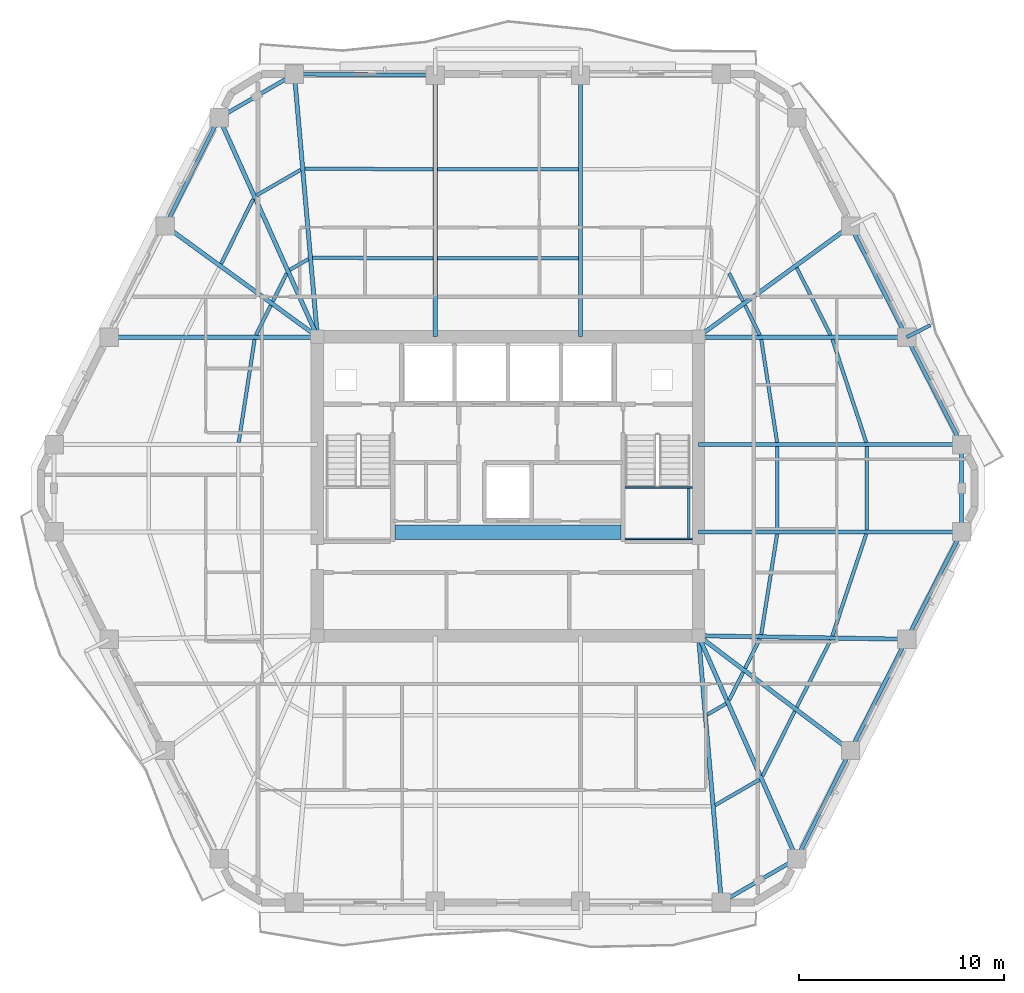
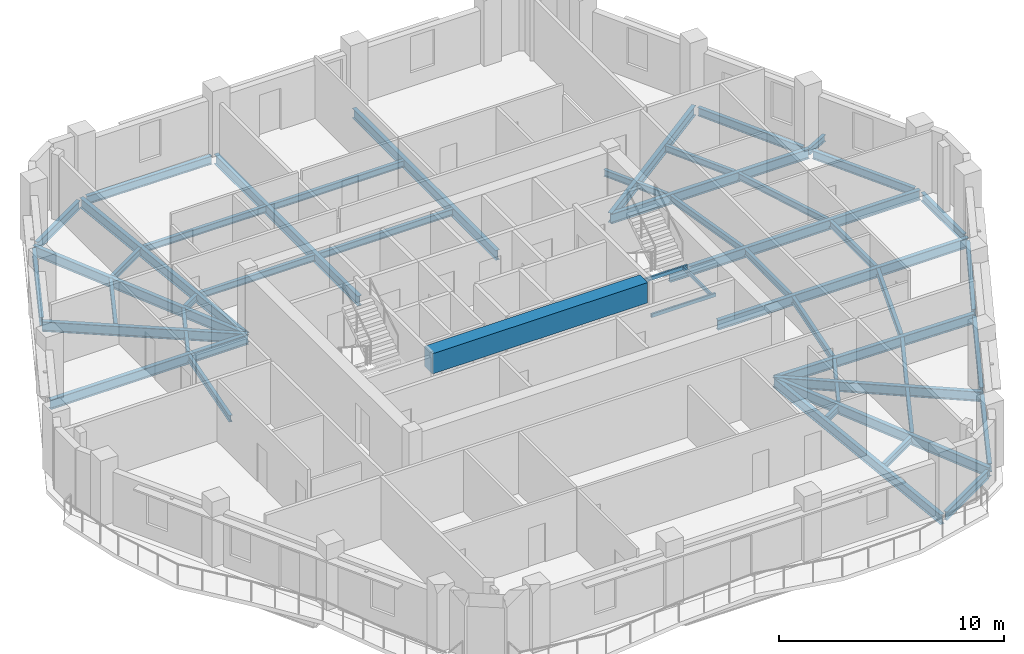
# One storey, part 2 of 11: 54 beams.
"""IFC4 building model written with IfcOpenShell, lengths in metres."""

from ifc_helpers import new_model, si_unit, direction, frame, origin, origin_2d, place, context, subcontext, project, spatial, rectangle, hollow_rectangle, i_section, extrude, material, material_profile, profile_set, type_object, element, save


model = new_model("IFC4")

# Units and contexts
model_context = context("Model", 3, precision=1e-05, world=origin(), true_north=direction((0.0, 1.0)))
body_context = subcontext(model_context, "Body", "Model", "MODEL_VIEW")
ifc_project = project(units=[si_unit("LENGTHUNIT", "METRE"), si_unit("AREAUNIT", "SQUARE_METRE"), si_unit("VOLUMEUNIT", "CUBIC_METRE"), si_unit("PLANEANGLEUNIT", "RADIAN"), si_unit("MASSUNIT", "GRAM", prefix="KILO")], contexts=[model_context])

# Site, building, storey
site_placement = place(None, origin())
site = spatial("IfcSite", under=ifc_project, at=site_placement, CompositionType="ELEMENT")
building_placement = place(site_placement, origin())
building = spatial("IfcBuilding", under=site, at=building_placement, Name="Cinnabar Lancet Tower", CompositionType="ELEMENT")
storey_placement = place(building_placement, frame((0.0, 0.0, 196.75)))
storey = spatial("IfcBuildingStorey", under=building, at=storey_placement, Name="L52", CompositionType="ELEMENT", Elevation=196.75)

# Beams
ifc_material_1 = material(Name="Concrete C70/85", Category="concrete")
ifc_material_profile_1 = material_profile(ifc_material_1, rectangle(XDim=0.699951171875, YDim=1.10009765625, at=origin_2d()), Name="RC-CB 700x1100")
ifc_profile_set_1 = profile_set([ifc_material_profile_1], Name="Concrete C70/85")
beam_type_1 = type_object("IfcBeamType", Name="STR-BM-CB-1100", PredefinedType="BEAM", material=ifc_profile_set_1)
beam_1_placement = place(storey_placement, frame((26.8798828125, 23.64990234375, 2.800048828125), z_axis=(1.0, 0.0, 0.0), x_axis=(0.0, 1.0, 0.0)))
element("IfcBeam", 1, at=beam_1_placement, inside=storey, type_object=beam_type_1, Name="L52 Core Coupling Beam", PredefinedType="BEAM", context=body_context, shape_type="SweptSolid", body=[
    extrude(rectangle(XDim=0.699951171875, YDim=1.10009765625, at=origin_2d()), origin(), (0.0, 0.0, 1.0), 11.0400390625),
])
ifc_material_2 = material(Name="Structural steel S355", Category="steel")
ifc_material_profile_2 = material_profile(ifc_material_2, i_section(OverallWidth=0.17138671875, OverallDepth=0.35498046875, WebThickness=0.00732421875, FlangeThickness=0.011474609375, FilletRadius=0.01025390625, at=origin_2d()), Name="UKB 356x171x51")
ifc_profile_set_2 = profile_set([ifc_material_profile_2], Name="Structural steel S355")
beam_type_2 = type_object("IfcBeamType", Name="STR-BM-JST-356", PredefinedType="JOIST", material=ifc_profile_set_2)
beam_2_placement = place(storey_placement, frame((42.51708984375, 10.3310546875, -0.376953125), z_axis=(0.865267839663, 0.501309849937, 0.0), x_axis=(-0.501309849937, 0.865267839663, 0.0)))
element("IfcBeam", 2, at=beam_2_placement, inside=storey, type_object=beam_type_2, Name="L52 Secondary Floor Joist 15", PredefinedType="JOIST", context=body_context, shape_type="SweptSolid", body=[
    extrude(i_section(OverallWidth=0.17138671875, OverallDepth=0.35498046875, WebThickness=0.00732421875, FlangeThickness=0.011474609375, FilletRadius=0.01025390625, at=origin_2d()), origin(), (0.0, 0.0, 1.0), 2.497314453125),
])
beam_3_placement = place(storey_placement, frame((42.135986328125, 14.7548828125, -0.376953125), z_axis=(0.8651881055, 0.501447446998, 0.0), x_axis=(-0.501447446998, 0.8651881055, 0.0)))
element("IfcBeam", 3, at=beam_3_placement, inside=storey, type_object=beam_type_2, Name="L52 Secondary Floor Joist 16", PredefinedType="JOIST", context=body_context, shape_type="SweptSolid", body=[
    extrude(i_section(OverallWidth=0.17138671875, OverallDepth=0.35498046875, WebThickness=0.00732421875, FlangeThickness=0.011474609375, FilletRadius=0.01025390625, at=origin_2d()), origin(), (0.0, 0.0, 1.0), 1.05322265625),
])
beam_4_placement = place(storey_placement, frame((44.8291015625, 11.758056640625, -0.376953125), z_axis=(0.445027906173, 0.895516701534, 0.0), x_axis=(-0.895516701534, 0.445027906173, 0.0)))
element("IfcBeam", 4, at=beam_4_placement, inside=storey, type_object=beam_type_2, Name="L52 Secondary Floor Joist 17", PredefinedType="JOIST", context=body_context, shape_type="SweptSolid", body=[
    extrude(i_section(OverallWidth=0.17138671875, OverallDepth=0.35498046875, WebThickness=0.00732421875, FlangeThickness=0.011474609375, FilletRadius=0.01025390625, at=origin_2d()), origin(), (0.0, 0.0, 1.0), 3.531982421875),
])
beam_5_placement = place(storey_placement, frame((43.198974609375, 15.45703125, -0.376953125), z_axis=(0.444589856968, 0.895734256954, 0.0), x_axis=(-0.895734256954, 0.444589856968, 0.0)))
element("IfcBeam", 5, at=beam_5_placement, inside=storey, type_object=beam_type_2, Name="L52 Secondary Floor Joist 18", PredefinedType="JOIST", context=body_context, shape_type="SweptSolid", body=[
    extrude(i_section(OverallWidth=0.17138671875, OverallDepth=0.35498046875, WebThickness=0.00732421875, FlangeThickness=0.011474609375, FilletRadius=0.01025390625, at=origin_2d()), origin(), (0.0, 0.0, 1.0), 1.527099609375),
])
beam_6_placement = place(storey_placement, frame((46.49609375, 15.112060546875, -0.376953125), z_axis=(0.450564728728, 0.892743762357, 0.0), x_axis=(-0.892743762357, 0.450564728728, 0.0)))
element("IfcBeam", 6, at=beam_6_placement, inside=storey, type_object=beam_type_2, Name="L52 Secondary Floor Joist 19", PredefinedType="JOIST", context=body_context, shape_type="SweptSolid", body=[
    extrude(i_section(OverallWidth=0.17138671875, OverallDepth=0.35498046875, WebThickness=0.00732421875, FlangeThickness=0.011474609375, FilletRadius=0.01025390625, at=origin_2d()), origin(), (0.0, 0.0, 1.0), 3.66845703125),
])
beam_7_placement = place(storey_placement, frame((43.97412109375, 17.014892578125, -0.376953125), z_axis=(0.450137936259, 0.892959035085, 0.0), x_axis=(-0.892959035085, 0.450137936259, 0.0)))
element("IfcBeam", 7, at=beam_7_placement, inside=storey, type_object=beam_type_2, Name="L52 Secondary Floor Joist 20", PredefinedType="JOIST", context=body_context, shape_type="SweptSolid", body=[
    extrude(i_section(OverallWidth=0.17138671875, OverallDepth=0.35498046875, WebThickness=0.00732421875, FlangeThickness=0.011474609375, FilletRadius=0.01025390625, at=origin_2d()), origin(), (0.0, 0.0, 1.0), 1.6015625),
])
beam_8_placement = place(storey_placement, frame((48.236083984375, 18.594970703125, -0.376953125), z_axis=(0.315346227037, 0.948976689436, 0.0), x_axis=(-0.948976689436, 0.315346227037, 0.0)))
element("IfcBeam", 8, at=beam_8_placement, inside=storey, type_object=beam_type_2, Name="L52 Secondary Floor Joist 21", PredefinedType="JOIST", context=body_context, shape_type="SweptSolid", body=[
    extrude(i_section(OverallWidth=0.17138671875, OverallDepth=0.35498046875, WebThickness=0.00732421875, FlangeThickness=0.011474609375, FilletRadius=0.01025390625, at=origin_2d()), origin(), (0.0, 0.0, 1.0), 5.235107421875),
])
beam_9_placement = place(storey_placement, frame((44.763916015625, 18.653076171875, -0.376953125), z_axis=(0.155750702097, 0.987796395416, 0.0), x_axis=(-0.987796395416, 0.155750702097, 0.0)))
element("IfcBeam", 9, at=beam_9_placement, inside=storey, type_object=beam_type_2, Name="L52 Secondary Floor Joist 22", PredefinedType="JOIST", context=body_context, shape_type="SweptSolid", body=[
    extrude(i_section(OverallWidth=0.17138671875, OverallDepth=0.35498046875, WebThickness=0.00732421875, FlangeThickness=0.011474609375, FilletRadius=0.01025390625, at=origin_2d()), origin(), (0.0, 0.0, 1.0), 4.970458984375),
])
for number, where, z_axis, x_axis, name in (
    (10, (49.922119140625, 23.77294921875, -0.376953125), (0.0, 1.0, 0.0), (-1.0, 0.0, 0.0), "L52 Secondary Floor Joist 23"),
    (11, (45.553955078125, 23.77294921875, -0.376953125), (0.0, 1.0, 0.0), (-1.0, 0.0, 0.0), "L52 Secondary Floor Joist 24"),
):
    element("IfcBeam", number, at=place(storey_placement, frame(where, z_axis=z_axis, x_axis=x_axis)), inside=storey, type_object=beam_type_2, Name=name, PredefinedType="JOIST", context=body_context, shape_type="SweptSolid", body=[
        extrude(i_section(OverallWidth=0.17138671875, OverallDepth=0.35498046875, WebThickness=0.00732421875, FlangeThickness=0.011474609375, FilletRadius=0.01025390625, at=origin_2d()), origin(), (0.0, 0.0, 1.0), 4.053955078125),
    ])
beam_10_placement = place(storey_placement, frame((49.887939453125, 28.037109375, -0.376953125), z_axis=(-0.312240109925, 0.95000321776, 0.0), x_axis=(-0.95000321776, -0.312240109925, 0.0)))
element("IfcBeam", 12, at=beam_10_placement, inside=storey, type_object=beam_type_2, Name="L52 Secondary Floor Joist 25", PredefinedType="JOIST", context=body_context, shape_type="SweptSolid", body=[
    extrude(i_section(OverallWidth=0.17138671875, OverallDepth=0.35498046875, WebThickness=0.00732421875, FlangeThickness=0.011474609375, FilletRadius=0.01025390625, at=origin_2d()), origin(), (0.0, 0.0, 1.0), 5.29345703125),
])
beam_11_placement = place(storey_placement, frame((45.5380859375, 28.037109375, -0.376953125), z_axis=(-0.152154536592, 0.98835671546, 0.0), x_axis=(-0.98835671546, -0.152154536592, 0.0)))
element("IfcBeam", 13, at=beam_11_placement, inside=storey, type_object=beam_type_2, Name="L52 Secondary Floor Joist 26", PredefinedType="JOIST", context=body_context, shape_type="SweptSolid", body=[
    extrude(i_section(OverallWidth=0.17138671875, OverallDepth=0.35498046875, WebThickness=0.00732421875, FlangeThickness=0.011474609375, FilletRadius=0.01025390625, at=origin_2d()), origin(), (0.0, 0.0, 1.0), 5.088134765625),
])
beam_12_placement = place(storey_placement, frame((48.14794921875, 33.27587890625, -0.376953125), z_axis=(-0.449230875134, 0.893415704376, 0.0), x_axis=(-0.893415704376, -0.449230875134, 0.0)))
element("IfcBeam", 14, at=beam_12_placement, inside=storey, type_object=beam_type_2, Name="L52 Secondary Floor Joist 27", PredefinedType="JOIST", context=body_context, shape_type="SweptSolid", body=[
    extrude(i_section(OverallWidth=0.17138671875, OverallDepth=0.35498046875, WebThickness=0.00732421875, FlangeThickness=0.011474609375, FilletRadius=0.01025390625, at=origin_2d()), origin(), (0.0, 0.0, 1.0), 3.677001953125),
])
beam_13_placement = place(storey_placement, frame((44.695068359375, 33.27587890625, -0.376953125), z_axis=(-0.446006949597, 0.89502949723, 0.0), x_axis=(-0.89502949723, -0.446006949597, 0.0)))
element("IfcBeam", 15, at=beam_13_placement, inside=storey, type_object=beam_type_2, Name="L52 Secondary Floor Joist 28", PredefinedType="JOIST", context=body_context, shape_type="SweptSolid", body=[
    extrude(i_section(OverallWidth=0.17138671875, OverallDepth=0.35498046875, WebThickness=0.00732421875, FlangeThickness=0.011474609375, FilletRadius=0.01025390625, at=origin_2d()), origin(), (0.0, 0.0, 1.0), 1.619140625),
])
beam_14_placement = place(storey_placement, frame((43.8779296875, 34.9150390625, -0.376953125), z_axis=(-0.444589856968, 0.895734256954, 0.0), x_axis=(-0.895734256954, -0.444589856968, 0.0)))
element("IfcBeam", 16, at=beam_14_placement, inside=storey, type_object=beam_type_2, Name="L52 Secondary Floor Joist 30", PredefinedType="JOIST", context=body_context, shape_type="SweptSolid", body=[
    extrude(i_section(OverallWidth=0.17138671875, OverallDepth=0.35498046875, WebThickness=0.00732421875, FlangeThickness=0.011474609375, FilletRadius=0.01025390625, at=origin_2d()), origin(), (0.0, 0.0, 1.0), 1.527099609375),
])
for number, where, z_axis, x_axis, name in (
    (17, (35.837890625, 41.364990234375, -0.376953125), (-1.0, 0.0, 0.0), (0.0, -1.0, 0.0), "L52 Secondary Floor Joist 35"),
    (18, (35.837890625, 37.027099609375, -0.376953125), (-1.0, 0.0, 0.0), (0.0, -1.0, 0.0), "L52 Secondary Floor Joist 36"),
):
    element("IfcBeam", number, at=place(storey_placement, frame(where, z_axis=z_axis, x_axis=x_axis)), inside=storey, type_object=beam_type_2, Name=name, PredefinedType="JOIST", context=body_context, shape_type="SweptSolid", body=[
        extrude(i_section(OverallWidth=0.17138671875, OverallDepth=0.35498046875, WebThickness=0.00732421875, FlangeThickness=0.011474609375, FilletRadius=0.01025390625, at=origin_2d()), origin(), (0.0, 0.0, 1.0), 6.8759765625),
    ])
beam_15_placement = place(storey_placement, frame((28.751953125, 41.365966796875, -0.376953125), z_axis=(-0.999986965561, 0.005105752523, 0.0), x_axis=(-0.005105752523, -0.999986965561, 0.0)))
element("IfcBeam", 19, at=beam_15_placement, inside=storey, type_object=beam_type_2, Name="L52 Secondary Floor Joist 37", PredefinedType="JOIST", context=body_context, shape_type="SweptSolid", body=[
    extrude(i_section(OverallWidth=0.17138671875, OverallDepth=0.35498046875, WebThickness=0.00732421875, FlangeThickness=0.011474609375, FilletRadius=0.01025390625, at=origin_2d()), origin(), (0.0, 0.0, 1.0), 6.263916015625),
])
beam_16_placement = place(storey_placement, frame((28.751953125, 37.028076171875, -0.376953125), z_axis=(-0.999996795933, 0.002531427338, 0.0), x_axis=(-0.002531427338, -0.999996795933, 0.0)))
element("IfcBeam", 20, at=beam_16_placement, inside=storey, type_object=beam_type_2, Name="L52 Secondary Floor Joist 38", PredefinedType="JOIST", context=body_context, shape_type="SweptSolid", body=[
    extrude(i_section(OverallWidth=0.17138671875, OverallDepth=0.35498046875, WebThickness=0.00732421875, FlangeThickness=0.011474609375, FilletRadius=0.01025390625, at=origin_2d()), origin(), (0.0, 0.0, 1.0), 5.883056640625),
])
beam_17_placement = place(storey_placement, frame((22.282958984375, 41.341064453125, -0.376953125), z_axis=(-0.865267839663, -0.501309849937, 0.0), x_axis=(0.501309849937, -0.865267839663, 0.0)))
element("IfcBeam", 21, at=beam_17_placement, inside=storey, type_object=beam_type_2, Name="L52 Secondary Floor Joist 39", PredefinedType="JOIST", context=body_context, shape_type="SweptSolid", body=[
    extrude(i_section(OverallWidth=0.17138671875, OverallDepth=0.35498046875, WebThickness=0.00732421875, FlangeThickness=0.011474609375, FilletRadius=0.01025390625, at=origin_2d()), origin(), (0.0, 0.0, 1.0), 2.497314453125),
])
beam_18_placement = place(storey_placement, frame((22.6640625, 36.985107421875, -0.376953125), z_axis=(-0.8651881055, -0.501447446998, 0.0), x_axis=(0.501447446998, -0.8651881055, 0.0)))
element("IfcBeam", 22, at=beam_18_placement, inside=storey, type_object=beam_type_2, Name="L52 Secondary Floor Joist 40", PredefinedType="JOIST", context=body_context, shape_type="SweptSolid", body=[
    extrude(i_section(OverallWidth=0.17138671875, OverallDepth=0.35498046875, WebThickness=0.00732421875, FlangeThickness=0.011474609375, FilletRadius=0.01025390625, at=origin_2d()), origin(), (0.0, 0.0, 1.0), 1.05322265625),
])
beam_19_placement = place(storey_placement, frame((19.970947265625, 39.9150390625, -0.376953125), z_axis=(-0.444835507887, -0.895612288283, 0.0), x_axis=(0.895612288283, -0.444835507887, 0.0)))
element("IfcBeam", 23, at=beam_19_placement, inside=storey, type_object=beam_type_2, Name="L52 Secondary Floor Joist 41", PredefinedType="JOIST", context=body_context, shape_type="SweptSolid", body=[
    extrude(i_section(OverallWidth=0.17138671875, OverallDepth=0.35498046875, WebThickness=0.00732421875, FlangeThickness=0.011474609375, FilletRadius=0.01025390625, at=origin_2d()), origin(), (0.0, 0.0, 1.0), 3.533935546875),
])
beam_20_placement = place(storey_placement, frame((21.60107421875, 36.282958984375, -0.376953125), z_axis=(-0.444589856968, -0.895734256954, 0.0), x_axis=(0.895734256954, -0.444589856968, 0.0)))
element("IfcBeam", 24, at=beam_20_placement, inside=storey, type_object=beam_type_2, Name="L52 Secondary Floor Joist 42", PredefinedType="JOIST", context=body_context, shape_type="SweptSolid", body=[
    extrude(i_section(OverallWidth=0.17138671875, OverallDepth=0.35498046875, WebThickness=0.00732421875, FlangeThickness=0.011474609375, FilletRadius=0.01025390625, at=origin_2d()), origin(), (0.0, 0.0, 1.0), 1.527099609375),
])
beam_21_placement = place(storey_placement, frame((20.826904296875, 34.72509765625, -0.376953125), z_axis=(-0.44588615098, -0.895089682861, 0.0), x_axis=(0.895089682861, -0.44588615098, 0.0)))
element("IfcBeam", 25, at=beam_21_placement, inside=storey, type_object=beam_type_2, Name="L52 Secondary Floor Joist 44", PredefinedType="JOIST", context=body_context, shape_type="SweptSolid", body=[
    extrude(i_section(OverallWidth=0.17138671875, OverallDepth=0.35498046875, WebThickness=0.00732421875, FlangeThickness=0.011474609375, FilletRadius=0.01025390625, at=origin_2d()), origin(), (0.0, 0.0, 1.0), 1.619140625),
])
beam_22_placement = place(storey_placement, frame((20.035888671875, 33.06591796875, -0.376953125), z_axis=(-0.152107663797, -0.988363930248, 0.0), x_axis=(0.988363930248, -0.152107663797, 0.0)))
element("IfcBeam", 26, at=beam_22_placement, inside=storey, type_object=beam_type_2, Name="L52 Secondary Floor Joist 46", PredefinedType="JOIST", context=body_context, shape_type="SweptSolid", body=[
    extrude(i_section(OverallWidth=0.17138671875, OverallDepth=0.35498046875, WebThickness=0.00732421875, FlangeThickness=0.011474609375, FilletRadius=0.01025390625, at=origin_2d()), origin(), (0.0, 0.0, 1.0), 5.088134765625),
])
ifc_material_3 = material(Name="Structural steel S355", Category="steel")
ifc_material_profile_3 = material_profile(ifc_material_3, hollow_rectangle(XDim=0.10009765625, YDim=0.199951171875, WallThickness=0.008056640625, InnerFilletRadius=0.00390625, OuterFilletRadius=0.011962890625, at=origin_2d()), Name="RHS 200x100x8")
ifc_profile_set_3 = profile_set([ifc_material_profile_3], Name="Structural steel S355")
beam_type_3 = type_object("IfcBeamType", Name="STR-BM-LND-203", PredefinedType="BEAM", material=ifc_profile_set_3)
for number, where, z_axis, x_axis, name in (
    (27, (38.1201171875, 23.330078125, 1.47509765625), (1.0, 0.0, 0.0), (0.0, 1.0, 0.0), "L52 ST-2-L52 Landing Support Beam S"),
    (28, (38.1201171875, 25.844970703125, 1.47509765625), (1.0, 0.0, 0.0), (0.0, 1.0, 0.0), "L52 ST-2-L52 Landing Support Beam N"),
):
    element("IfcBeam", number, at=place(storey_placement, frame(where, z_axis=z_axis, x_axis=x_axis)), inside=storey, type_object=beam_type_3, Name=name, PredefinedType="BEAM", context=body_context, shape_type="SweptSolid", body=[
        extrude(hollow_rectangle(XDim=0.10009765625, YDim=0.199951171875, WallThickness=0.008056640625, InnerFilletRadius=0.00390625, OuterFilletRadius=0.011962890625, at=origin_2d()), origin(), (0.0, 0.0, 1.0), 3.27978515625),
    ])
beam_23_placement = place(storey_placement, frame((41.219970703125, 23.3798828125, 1.47509765625), z_axis=(0.0, 1.0, 0.0), x_axis=(-1.0, 0.0, 0.0)))
element("IfcBeam", 29, at=beam_23_placement, inside=storey, type_object=beam_type_3, Name="L52 ST-2-L52 Landing Side Trimmer Beam", PredefinedType="BEAM", context=body_context, shape_type="SweptSolid", body=[
    extrude(hollow_rectangle(XDim=0.10009765625, YDim=0.199951171875, WallThickness=0.008056640625, InnerFilletRadius=0.00390625, OuterFilletRadius=0.011962890625, at=origin_2d()), origin(), (0.0, 0.0, 1.0), 2.4150390625),
])
ifc_material_4 = material(Name="Structural steel S355", Category="steel")
ifc_material_profile_4 = material_profile(ifc_material_4, i_section(OverallWidth=0.1904296875, OverallDepth=0.45703125, WebThickness=0.009033203125, FlangeThickness=0.014404296875, FilletRadius=0.01025390625, at=origin_2d()), Name="UKB 457x191x74")
ifc_profile_set_4 = profile_set([ifc_material_profile_4], Name="Structural steel S355")
beam_type_4 = type_object("IfcBeamType", Name="STR-BM-SPN-457", PredefinedType="SPANDREL", material=ifc_profile_set_4)
beam_24_placement = place(storey_placement, frame((43.037109375, 5.714111328125, -0.427978515625), z_axis=(0.865195717586, 0.501434313016, 0.0), x_axis=(-0.501434313016, 0.865195717586, 0.0)))
element("IfcBeam", 30, at=beam_24_placement, inside=storey, type_object=beam_type_4, Name="L52 Perimeter Spandrel 4", PredefinedType="SPANDREL", context=body_context, shape_type="SweptSolid", body=[
    extrude(i_section(OverallWidth=0.1904296875, OverallDepth=0.45703125, WebThickness=0.009033203125, FlangeThickness=0.014404296875, FilletRadius=0.01025390625, at=origin_2d()), origin(), (0.0, 0.0, 1.0), 3.7470703125),
])
beam_25_placement = place(storey_placement, frame((46.60595703125, 7.94189453125, -0.427978515625), z_axis=(0.444914968367, 0.895572817208, 0.0), x_axis=(-0.895572817208, 0.444914968367, 0.0)))
element("IfcBeam", 31, at=beam_25_placement, inside=storey, type_object=beam_type_4, Name="L52 Perimeter Spandrel 5", PredefinedType="SPANDREL", context=body_context, shape_type="SweptSolid", body=[
    extrude(i_section(OverallWidth=0.1904296875, OverallDepth=0.45703125, WebThickness=0.009033203125, FlangeThickness=0.014404296875, FilletRadius=0.01025390625, at=origin_2d()), origin(), (0.0, 0.0, 1.0), 5.39892578125),
])
beam_26_placement = place(storey_placement, frame((49.23193359375, 13.22412109375, -0.427978515625), z_axis=(0.450395996562, 0.892828900899, 0.0), x_axis=(-0.892828900899, 0.450395996562, 0.0)))
element("IfcBeam", 32, at=beam_26_placement, inside=storey, type_object=beam_type_4, Name="L52 Perimeter Spandrel 6", PredefinedType="SPANDREL", context=body_context, shape_type="SweptSolid", body=[
    extrude(i_section(OverallWidth=0.1904296875, OverallDepth=0.45703125, WebThickness=0.009033203125, FlangeThickness=0.014404296875, FilletRadius=0.01025390625, at=origin_2d()), origin(), (0.0, 0.0, 1.0), 5.579833984375),
])
beam_27_placement = place(storey_placement, frame((51.971923828125, 18.65087890625, -0.427978515625), z_axis=(0.456628362232, 0.889657540184, 0.0), x_axis=(-0.889657540184, 0.456628362232, 0.0)))
element("IfcBeam", 33, at=beam_27_placement, inside=storey, type_object=beam_type_4, Name="L52 Perimeter Spandrel 7", PredefinedType="SPANDREL", context=body_context, shape_type="SweptSolid", body=[
    extrude(i_section(OverallWidth=0.1904296875, OverallDepth=0.45703125, WebThickness=0.009033203125, FlangeThickness=0.014404296875, FilletRadius=0.01025390625, at=origin_2d()), origin(), (0.0, 0.0, 1.0), 5.389892578125),
])
beam_28_placement = place(storey_placement, frame((54.547119140625, 23.91796875, -0.427978515625), z_axis=(0.0, 1.0, 0.0), x_axis=(-1.0, 0.0, 0.0)))
element("IfcBeam", 34, at=beam_28_placement, inside=storey, type_object=beam_type_4, Name="L52 Perimeter Spandrel 8", PredefinedType="SPANDREL", context=body_context, shape_type="SweptSolid", body=[
    extrude(i_section(OverallWidth=0.1904296875, OverallDepth=0.45703125, WebThickness=0.009033203125, FlangeThickness=0.014404296875, FilletRadius=0.01025390625, at=origin_2d()), origin(), (0.0, 0.0, 1.0), 3.763916015625),
])
beam_29_placement = place(storey_placement, frame((54.43310546875, 28.154052734375, -0.427978515625), z_axis=(-0.456646764028, 0.889648094981, 0.0), x_axis=(-0.889648094981, -0.456646764028, 0.0)))
element("IfcBeam", 35, at=beam_29_placement, inside=storey, type_object=beam_type_4, Name="L52 Perimeter Spandrel 9", PredefinedType="SPANDREL", context=body_context, shape_type="SweptSolid", body=[
    extrude(i_section(OverallWidth=0.1904296875, OverallDepth=0.45703125, WebThickness=0.009033203125, FlangeThickness=0.014404296875, FilletRadius=0.01025390625, at=origin_2d()), origin(), (0.0, 0.0, 1.0), 5.3896484375),
])
beam_30_placement = place(storey_placement, frame((51.7451171875, 33.39404296875, -0.427978515625), z_axis=(-0.450395996562, 0.892828900899, 0.0), x_axis=(-0.892828900899, -0.450395996562, 0.0)))
element("IfcBeam", 36, at=beam_30_placement, inside=storey, type_object=beam_type_4, Name="L52 Perimeter Spandrel 10", PredefinedType="SPANDREL", context=body_context, shape_type="SweptSolid", body=[
    extrude(i_section(OverallWidth=0.1904296875, OverallDepth=0.45703125, WebThickness=0.009033203125, FlangeThickness=0.014404296875, FilletRadius=0.01025390625, at=origin_2d()), origin(), (0.0, 0.0, 1.0), 5.579833984375),
])
beam_31_placement = place(storey_placement, frame((28.60693359375, 45.9599609375, -0.427978515625), z_axis=(-0.999970401924, 0.007693846685, 0.0), x_axis=(-0.007693846685, -0.999970401924, 0.0)))
element("IfcBeam", 37, at=beam_31_placement, inside=storey, type_object=beam_type_4, Name="L52 Perimeter Spandrel 15", PredefinedType="SPANDREL", context=body_context, shape_type="SweptSolid", body=[
    extrude(i_section(OverallWidth=0.1904296875, OverallDepth=0.45703125, WebThickness=0.009033203125, FlangeThickness=0.014404296875, FilletRadius=0.01025390625, at=origin_2d()), origin(), (0.0, 0.0, 1.0), 6.378173828125),
])
beam_32_placement = place(storey_placement, frame((21.762939453125, 45.885986328125, -0.427978515625), z_axis=(-0.865195717586, -0.501434313016, 0.0), x_axis=(0.501434313016, -0.865195717586, 0.0)))
element("IfcBeam", 38, at=beam_32_placement, inside=storey, type_object=beam_type_4, Name="L52 Perimeter Spandrel 16", PredefinedType="SPANDREL", context=body_context, shape_type="SweptSolid", body=[
    extrude(i_section(OverallWidth=0.1904296875, OverallDepth=0.45703125, WebThickness=0.009033203125, FlangeThickness=0.014404296875, FilletRadius=0.01025390625, at=origin_2d()), origin(), (0.0, 0.0, 1.0), 3.7470703125),
])
beam_33_placement = place(storey_placement, frame((18.194091796875, 43.657958984375, -0.427978515625), z_axis=(-0.444932986899, -0.895563865489, 0.0), x_axis=(0.895563865489, -0.444932986899, 0.0)))
element("IfcBeam", 39, at=beam_33_placement, inside=storey, type_object=beam_type_4, Name="L52 Perimeter Spandrel 17", PredefinedType="SPANDREL", context=body_context, shape_type="SweptSolid", body=[
    extrude(i_section(OverallWidth=0.1904296875, OverallDepth=0.45703125, WebThickness=0.009033203125, FlangeThickness=0.014404296875, FilletRadius=0.01025390625, at=origin_2d()), origin(), (0.0, 0.0, 1.0), 5.398681640625),
])
ifc_material_5 = material(Name="Structural steel S355", Category="steel")
ifc_material_profile_5 = material_profile(ifc_material_5, i_section(OverallWidth=0.209228515625, OverallDepth=0.533203125, WebThickness=0.010009765625, FlangeThickness=0.015625, FilletRadius=0.0126953125, at=origin_2d()), Name="UKB 533x210x92")
ifc_profile_set_5 = profile_set([ifc_material_profile_5], Name="Structural steel S355")
beam_type_5 = type_object("IfcBeamType", Name="STR-BM-UKB533-92", PredefinedType="BEAM", material=ifc_profile_set_5)
beam_34_placement = place(storey_placement, frame((49.118896484375, 13.0009765625, -0.467041015625), z_axis=(-0.798193439732, 0.602401222417, 0.0), x_axis=(-0.602401222417, -0.798193439732, 0.0)))
element("IfcBeam", 40, at=beam_34_placement, inside=storey, type_object=beam_type_5, Name="L52 Corner Collector Girder 2", PredefinedType="BEAM", context=body_context, shape_type="SweptSolid", body=[
    extrude(i_section(OverallWidth=0.209228515625, OverallDepth=0.533203125, WebThickness=0.010009765625, FlangeThickness=0.015625, FilletRadius=0.0126953125, at=origin_2d()), origin(), (0.0, 0.0, 1.0), 9.294677734375),
])
beam_35_placement = place(storey_placement, frame((49.118896484375, 38.59912109375, -0.467041015625), z_axis=(-0.808550797984, -0.588426382039, 0.0), x_axis=(0.588426382039, -0.808550797984, 0.0)))
element("IfcBeam", 41, at=beam_35_placement, inside=storey, type_object=beam_type_5, Name="L52 Corner Collector Girder 3", PredefinedType="BEAM", context=body_context, shape_type="SweptSolid", body=[
    extrude(i_section(OverallWidth=0.209228515625, OverallDepth=0.533203125, WebThickness=0.010009765625, FlangeThickness=0.015625, FilletRadius=0.0126953125, at=origin_2d()), origin(), (0.0, 0.0, 1.0), 9.175537109375),
])
beam_36_placement = place(storey_placement, frame((15.680908203125, 38.59912109375, -0.467041015625), z_axis=(0.80856001044, -0.588413723087, 0.0), x_axis=(0.588413723087, 0.80856001044, 0.0)))
element("IfcBeam", 42, at=beam_36_placement, inside=storey, type_object=beam_type_5, Name="L52 Corner Collector Girder 4", PredefinedType="BEAM", context=body_context, shape_type="SweptSolid", body=[
    extrude(i_section(OverallWidth=0.209228515625, OverallDepth=0.533203125, WebThickness=0.010009765625, FlangeThickness=0.015625, FilletRadius=0.0126953125, at=origin_2d()), origin(), (0.0, 0.0, 1.0), 9.17578125),
])
beam_37_placement = place(storey_placement, frame((42.821044921875, 5.589111328125, -0.467041015625), z_axis=(-0.085847068729, 0.996308326167, 0.0), x_axis=(-0.996308326167, -0.085847068729, 0.0)))
element("IfcBeam", 43, at=beam_37_placement, inside=storey, type_object=beam_type_5, Name="L52 Primary Floor Girder 4", PredefinedType="BEAM", context=body_context, shape_type="SweptSolid", body=[
    extrude(i_section(OverallWidth=0.209228515625, OverallDepth=0.533203125, WebThickness=0.010009765625, FlangeThickness=0.015625, FilletRadius=0.0126953125, at=origin_2d()), origin(), (0.0, 0.0, 1.0), 13.05908203125),
])
beam_38_placement = place(storey_placement, frame((46.4951171875, 7.718017578125, -0.467041015625), z_axis=(-0.403235299754, 0.915096329919, 0.0), x_axis=(-0.915096329919, -0.403235299754, 0.0)))
element("IfcBeam", 44, at=beam_38_placement, inside=storey, type_object=beam_type_5, Name="L52 Primary Floor Girder 5", PredefinedType="BEAM", context=body_context, shape_type="SweptSolid", body=[
    extrude(i_section(OverallWidth=0.209228515625, OverallDepth=0.533203125, WebThickness=0.010009765625, FlangeThickness=0.015625, FilletRadius=0.0126953125, at=origin_2d()), origin(), (0.0, 0.0, 1.0), 11.891845703125),
])
beam_39_placement = place(storey_placement, frame((51.85791015625, 18.428955078125, -0.467041015625), z_axis=(-0.999858100525, 0.016845735777, 0.0), x_axis=(-0.016845735777, -0.999858100525, 0.0)))
element("IfcBeam", 45, at=beam_39_placement, inside=storey, type_object=beam_type_5, Name="L52 Primary Floor Girder 7", PredefinedType="BEAM", context=body_context, shape_type="SweptSolid", body=[
    extrude(i_section(OverallWidth=0.209228515625, OverallDepth=0.533203125, WebThickness=0.010009765625, FlangeThickness=0.015625, FilletRadius=0.0126953125, at=origin_2d()), origin(), (0.0, 0.0, 1.0), 10.159423828125),
])
for number, where, z_axis, x_axis, name in (
    (46, (54.547119140625, 23.66796875, -0.467041015625), (-1.0, 0.0, 0.0), (0.0, -1.0, 0.0), "L52 Primary Floor Girder 8"),
    (47, (54.547119140625, 27.931884765625, -0.467041015625), (-1.0, 0.0, 0.0), (0.0, -1.0, 0.0), "L52 Primary Floor Girder 9"),
):
    element("IfcBeam", number, at=place(storey_placement, frame(where, z_axis=z_axis, x_axis=x_axis)), inside=storey, type_object=beam_type_5, Name=name, PredefinedType="BEAM", context=body_context, shape_type="SweptSolid", body=[
        extrude(i_section(OverallWidth=0.209228515625, OverallDepth=0.533203125, WebThickness=0.010009765625, FlangeThickness=0.015625, FilletRadius=0.0126953125, at=origin_2d()), origin(), (0.0, 0.0, 1.0), 12.84716796875),
    ])
beam_40_placement = place(storey_placement, frame((51.85791015625, 33.1708984375, -0.467041015625), z_axis=(-1.0, 0.0, 0.0), x_axis=(0.0, -1.0, 0.0)))
element("IfcBeam", 48, at=beam_40_placement, inside=storey, type_object=beam_type_5, Name="L52 Primary Floor Girder 10", PredefinedType="BEAM", context=body_context, shape_type="SweptSolid", body=[
    extrude(i_section(OverallWidth=0.209228515625, OverallDepth=0.533203125, WebThickness=0.010009765625, FlangeThickness=0.015625, FilletRadius=0.0126953125, at=origin_2d()), origin(), (0.0, 0.0, 1.0), 10.157958984375),
])
for number, where, z_axis, x_axis, name in (
    (49, (35.943115234375, 45.9580078125, -0.467041015625), (0.0, -1.0, 0.0), (1.0, 0.0, 0.0), "L52 Primary Floor Girder 14"),
    (50, (28.85693359375, 45.9580078125, -0.467041015625), (0.0, -1.0, 0.0), (1.0, 0.0, 0.0), "L52 Primary Floor Girder 15"),
):
    element("IfcBeam", number, at=place(storey_placement, frame(where, z_axis=z_axis, x_axis=x_axis)), inside=storey, type_object=beam_type_5, Name=name, PredefinedType="BEAM", context=body_context, shape_type="SweptSolid", body=[
        extrude(i_section(OverallWidth=0.209228515625, OverallDepth=0.533203125, WebThickness=0.010009765625, FlangeThickness=0.015625, FilletRadius=0.0126953125, at=origin_2d()), origin(), (0.0, 0.0, 1.0), 12.758056640625),
    ])
beam_41_placement = place(storey_placement, frame((21.97900390625, 46.010986328125, -0.467041015625), z_axis=(0.087176841412, -0.996192851973, 0.0), x_axis=(0.996192851973, 0.087176841412, 0.0)))
element("IfcBeam", 51, at=beam_41_placement, inside=storey, type_object=beam_type_5, Name="L52 Primary Floor Girder 16", PredefinedType="BEAM", context=body_context, shape_type="SweptSolid", body=[
    extrude(i_section(OverallWidth=0.209228515625, OverallDepth=0.533203125, WebThickness=0.010009765625, FlangeThickness=0.015625, FilletRadius=0.0126953125, at=origin_2d()), origin(), (0.0, 0.0, 1.0), 12.860107421875),
])
beam_42_placement = place(storey_placement, frame((18.304931640625, 43.882080078125, -0.467041015625), z_axis=(0.409527011626, -0.912297992297, 0.0), x_axis=(0.912297992297, 0.409527011626, 0.0)))
element("IfcBeam", 52, at=beam_42_placement, inside=storey, type_object=beam_type_5, Name="L52 Primary Floor Girder 17", PredefinedType="BEAM", context=body_context, shape_type="SweptSolid", body=[
    extrude(i_section(OverallWidth=0.209228515625, OverallDepth=0.533203125, WebThickness=0.010009765625, FlangeThickness=0.015625, FilletRadius=0.0126953125, at=origin_2d()), origin(), (0.0, 0.0, 1.0), 11.708984375),
])
beam_43_placement = place(storey_placement, frame((12.94189453125, 33.1708984375, -0.467041015625), z_axis=(1.0, 0.0, 0.0), x_axis=(0.0, 1.0, 0.0)))
element("IfcBeam", 53, at=beam_43_placement, inside=storey, type_object=beam_type_5, Name="L52 Primary Floor Girder 19", PredefinedType="BEAM", context=body_context, shape_type="SweptSolid", body=[
    extrude(i_section(OverallWidth=0.209228515625, OverallDepth=0.533203125, WebThickness=0.010009765625, FlangeThickness=0.015625, FilletRadius=0.0126953125, at=origin_2d()), origin(), (0.0, 0.0, 1.0), 10.158203125),
])
ifc_material_6 = material(Name="Structural steel S355", Category="steel")
ifc_material_profile_6 = material_profile(ifc_material_6, i_section(OverallWidth=0.17138671875, OverallDepth=0.35498046875, WebThickness=0.00732421875, FlangeThickness=0.011474609375, FilletRadius=0.01025390625, at=origin_2d()), Name="UKB 356x171x51")
ifc_profile_set_6 = profile_set([ifc_material_profile_6], Name="Structural steel S355")
beam_type_6 = type_object("IfcBeamType", Name="STR-BM-WAV-OUT", PredefinedType="BEAM", material=ifc_profile_set_6)
beam_44_placement = place(storey_placement, frame((51.85791015625, 33.1708984375, -0.39794921875), z_axis=(0.892238560088, 0.451564338597, 0.0), x_axis=(-0.451564338597, 0.892238560088, 0.0)))
element("IfcBeam", 54, at=beam_44_placement, inside=storey, type_object=beam_type_6, Name="L52 Face 3 Balcony Outlooker A", PredefinedType="BEAM", context=body_context, shape_type="SweptSolid", body=[
    extrude(i_section(OverallWidth=0.17138671875, OverallDepth=0.35498046875, WebThickness=0.00732421875, FlangeThickness=0.011474609375, FilletRadius=0.01025390625, at=origin_2d()), origin(), (0.0, 0.0, 1.0), 1.30029296875),
])

save(model, "model.ifc")
